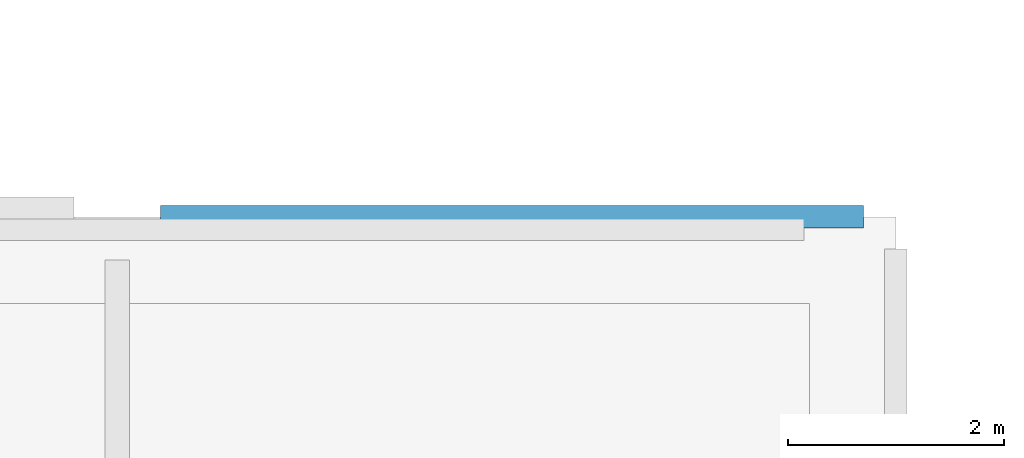
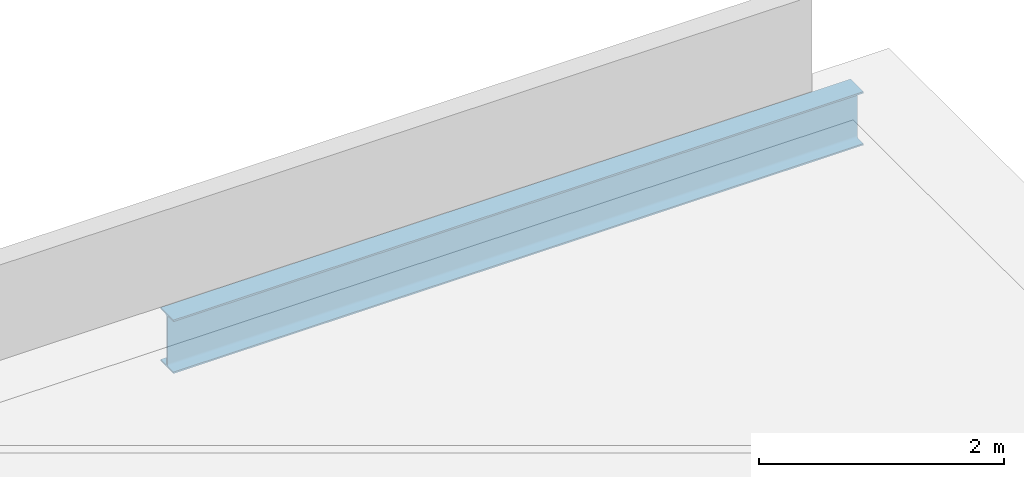
# One storey, part 95 of 153: 1 beam.
"""IFC4 building model written with IfcOpenShell, lengths in metres."""

import ifcopenshell
import ifcopenshell.guid

model = None  # the IFC model being written
_history = None  # IfcOwnerHistory: only IFC2X3 demands one
_inside = {}  # id of a spatial element -> (the spatial element, [elements in it])
_under = {}  # id of a project, library or spatial element -> (it, [spatial elements below it])
_declared = {}  # id of a project -> (the project, [libraries it declares])
_typed = {}  # id of a type object -> (the type object, [elements of that type])
_made_of = {}  # id of a material, layer set ... -> (it, [elements and type objects made of it])


def new_model(schema):
    """Start an empty IFC model of exactly this schema.

    Asked for "IFC4X3", IfcOpenShell would pick the latest addendum, in which some entities
    have other attributes; the version numbers below select the first issue.
    IFC2X3 requires an IfcOwnerHistory on every rooted entity: one is made here for all.
    """
    global model, _history
    if schema == "IFC4X3":
        model = ifcopenshell.file(schema_version=(4, 3, 0, 0))
    else:
        model = ifcopenshell.file(schema=schema)
    _inside.clear()
    _under.clear()
    _declared.clear()
    _typed.clear()
    _made_of.clear()
    _history = None
    if model.schema == "IFC2X3":
        org = make("IfcOrganization", Name="unknown")
        user = make(
            "IfcPersonAndOrganization",
            ThePerson=make("IfcPerson", FamilyName="unknown"),
            TheOrganization=org,
        )
        app = make(
            "IfcApplication",
            ApplicationDeveloper=org,
            Version="unknown",
            ApplicationFullName="unknown",
            ApplicationIdentifier="unknown",
        )
        _history = make(
            "IfcOwnerHistory",
            OwningUser=user,
            OwningApplication=app,
            ChangeAction="ADDED",
            CreationDate=0,
        )
    return model


def make(cls, **values):
    """One entity of the class cls with the attributes given. An attribute that is None is left unset."""
    return model.create_entity(
        cls, **{name: value for name, value in values.items() if value is not None}
    )


def rooted(cls, **values):
    """An entity with a GlobalId (a new one), such as an element, a storey or a relation."""
    return make(cls, GlobalId=ifcopenshell.guid.new(), OwnerHistory=_history, **values)


def si_unit(unit_type, name, prefix=None):
    """IfcSIUnit, for example si_unit("LENGTHUNIT", "METRE", prefix="MILLI")."""
    return make("IfcSIUnit", UnitType=unit_type, Prefix=prefix, Name=name)


def assignment(units):
    """IfcUnitAssignment: the units of a project."""
    return None if units is None else make("IfcUnitAssignment", Units=units)


def point(xyz):
    """IfcCartesianPoint."""
    return None if xyz is None else make("IfcCartesianPoint", Coordinates=xyz)


def direction(xyz):
    """IfcDirection."""
    return None if xyz is None else make("IfcDirection", DirectionRatios=xyz)


def frame(location, z_axis=None, x_axis=None):
    """IfcAxis2Placement3D, a coordinate frame: its origin and axes. An axis left out is left unset."""
    return make(
        "IfcAxis2Placement3D",
        Location=point(location),
        Axis=direction(z_axis),
        RefDirection=direction(x_axis),
    )


def frame_2d(location, x_axis=None):
    """IfcAxis2Placement2D, a coordinate frame in the plane: its origin and x axis."""
    return make(
        "IfcAxis2Placement2D", Location=point(location), RefDirection=direction(x_axis)
    )


def origin():
    """The frame at (0, 0, 0) with its axes left unset."""
    return frame((0.0, 0.0, 0.0))


def origin_2d():
    """The frame at (0, 0) in the plane with its x axis left unset."""
    return frame_2d((0.0, 0.0))


def place(relative_to, where):
    """IfcLocalPlacement: puts the frame where relative to a parent placement (None: the world)."""
    return make(
        "IfcLocalPlacement", PlacementRelTo=relative_to, RelativePlacement=where
    )


def context(
    kind, dimensions, precision=None, world=None, true_north=None, identifier=None
):
    """IfcGeometricRepresentationContext, for example the 3D "Model" context."""
    return make(
        "IfcGeometricRepresentationContext",
        ContextIdentifier=identifier,
        ContextType=kind,
        CoordinateSpaceDimension=dimensions,
        Precision=precision,
        WorldCoordinateSystem=world,
        TrueNorth=true_north,
    )


def subcontext(parent, identifier, kind, view, scale=None):
    """IfcGeometricRepresentationSubContext, for example "Body" below "Model"."""
    return make(
        "IfcGeometricRepresentationSubContext",
        ContextIdentifier=identifier,
        ContextType=kind,
        ParentContext=parent,
        TargetScale=scale,
        TargetView=view,
    )


def project(units=None, contexts=None):
    """IfcProject with its units and contexts."""
    return rooted(
        "IfcProject",
        Name="project",
        RepresentationContexts=contexts,
        UnitsInContext=assignment(units),
    )


def spatial(cls, under=None, at=None, **own):
    """A site, building, storey or space (cls), placed at a placement, below another one or the project."""
    s = rooted(cls, ObjectPlacement=at, **own)
    if under is not None:
        _under.setdefault(under.id(), (under, []))[1].append(s)
    return s


def profile(cls, at=None, kind="AREA", **sizes):
    """A parametric profile (cls). Its sizes go by their IFC names, for example OverallWidth=200.0."""
    return make(cls, ProfileType=kind, Position=at, **sizes)


def i_section(**sizes):
    """IfcIShapeProfileDef."""
    return profile("IfcIShapeProfileDef", **sizes)


def extrude(swept, where, along, depth):
    """IfcExtrudedAreaSolid: the profile swept, set in the frame where, extruded along a direction by depth."""
    return make(
        "IfcExtrudedAreaSolid",
        SweptArea=swept,
        Position=where,
        ExtrudedDirection=direction(along),
        Depth=depth,
    )


def shape(context_of_items, identifier, shape_type, items):
    """IfcShapeRepresentation: the items that make up one representation, for example the "Body"."""
    return make(
        "IfcShapeRepresentation",
        ContextOfItems=context_of_items,
        RepresentationIdentifier=identifier,
        RepresentationType=shape_type,
        Items=items,
    )


def material(Name=None, Category=None):
    """IfcMaterial."""
    return make("IfcMaterial", Name=Name, Category=Category)


def material_profile(
    of_material, cross_section, Name=None, Category=None, Priority=None
):
    """IfcMaterialProfile: a cross section and its material."""
    return make(
        "IfcMaterialProfile",
        Name=Name,
        Material=of_material,
        Profile=cross_section,
        Priority=Priority,
        Category=Category,
    )


def profile_set(profiles, Name=None, composite=None):
    """IfcMaterialProfileSet."""
    return make(
        "IfcMaterialProfileSet",
        Name=Name,
        MaterialProfiles=profiles,
        CompositeProfile=composite,
    )


def made_of(thing, what):
    """Note that an element or type object is made of a material, layer set ...; save() writes the relation."""
    if what is not None:
        _made_of.setdefault(what.id(), (what, []))[1].append(thing)
    return thing


def type_object(cls, material=None, **own):
    """A type object (cls), such as IfcWallType, which elements share."""
    return made_of(rooted(cls, **own), material)


def element(
    cls,
    number,
    at=None,
    inside=None,
    cuts=None,
    type_object=None,
    material=None,
    context=None,
    identifier="Body",
    shape_type=None,
    held_by="IfcProductDefinitionShape",
    body=None,
    shapes=None,
    **own,
):
    """One element of the class cls, such as IfcWall. Its Tag is "e" and its number.

    at: its placement. inside: the storey or other place that contains it. cuts: it is an
    opening in that element (IfcRelVoidsElement). A single representation is given by context,
    identifier, shape_type and body (its items); several are given by shapes. held_by: the class
    of the entity that holds the representations. save() writes the other relations.
    """
    e = rooted(cls, Tag="e%d" % number, ObjectPlacement=at, **own)
    if body is not None:
        shapes = [shape(context, identifier, shape_type, body)]
    if shapes is not None:
        e.Representation = make(held_by, Representations=shapes)
    if inside is not None:
        _inside.setdefault(inside.id(), (inside, []))[1].append(e)
    if cuts is not None:
        rooted(
            "IfcRelVoidsElement", RelatingBuildingElement=cuts, RelatedOpeningElement=e
        )
    if type_object is not None:
        _typed.setdefault(type_object.id(), (type_object, []))[1].append(e)
    return made_of(e, material)


def aggregate(whole, parts):
    """IfcRelAggregates: a whole, such as a stair, and the parts it consists of."""
    return rooted("IfcRelAggregates", RelatingObject=whole, RelatedObjects=parts)


def save(model, path):
    """Write the relations noted so far, then the file.

    IfcRelAggregates (storeys below a building ...), IfcRelContainedInSpatialStructure (elements
    in a storey), IfcRelDefinesByType, IfcRelAssociatesMaterial and IfcRelDeclares: one each for
    every whole, place, type object, material and project.
    """
    for whole, parts in _under.values():
        aggregate(whole, parts)
    for where, things in _inside.values():
        rooted(
            "IfcRelContainedInSpatialStructure",
            RelatedElements=things,
            RelatingStructure=where,
        )
    for kind, things in _typed.values():
        rooted("IfcRelDefinesByType", RelatedObjects=things, RelatingType=kind)
    for what, things in _made_of.values():
        rooted("IfcRelAssociatesMaterial", RelatedObjects=things, RelatingMaterial=what)
    for by, libraries in _declared.values():
        rooted("IfcRelDeclares", RelatingContext=by, RelatedDefinitions=libraries)
    model.write(path)


model = new_model("IFC4")

# Units and contexts
model_context = context("Model", 3, precision=1e-05, world=origin(), true_north=direction((0.0, 1.0)))
body_context = subcontext(model_context, "Body", "Model", "MODEL_VIEW")
ifc_project = project(units=[si_unit("LENGTHUNIT", "METRE"), si_unit("AREAUNIT", "SQUARE_METRE"), si_unit("VOLUMEUNIT", "CUBIC_METRE"), si_unit("PLANEANGLEUNIT", "RADIAN"), si_unit("MASSUNIT", "GRAM", prefix="KILO")], contexts=[model_context])

# Site, building, storey
site_placement = place(None, origin())
site = spatial("IfcSite", under=ifc_project, at=site_placement, CompositionType="ELEMENT")
building_placement = place(site_placement, origin())
building = spatial("IfcBuilding", under=site, at=building_placement, Name="Calvrana Isthmian Art Gallery", CompositionType="ELEMENT")
storey_placement = place(building_placement, frame((0.0, 0.0, 10.199951171875)))
storey = spatial("IfcBuildingStorey", under=building, at=storey_placement, Name="L02", CompositionType="ELEMENT", Elevation=10.199951171875)

# Beam
ifc_material = material(Name="Steel ASTM A992 Gr 50", Category="steel")
ifc_material_profile = material_profile(ifc_material, i_section(OverallWidth=0.208984375, OverallDepth=0.532958984375, WebThickness=0.01025390625, FlangeThickness=0.015625, FilletRadius=0.02099609375, at=origin_2d()), Name="W21X62")
ifc_profile_set = profile_set([ifc_material_profile], Name="Steel ASTM A992 Gr 50")
beam_type = type_object("IfcBeamType", Name="BM-G-W21X62", PredefinedType="BEAM", material=ifc_profile_set)
beam_placement = place(storey_placement, frame((142.0, 98.39990234375, -0.531494140625), z_axis=(1.0, 0.0, 0.0), x_axis=(0.0, 1.0, 0.0)))
element("IfcBeam", 1, at=beam_placement, inside=storey, type_object=beam_type, Name="Girder X L02 19-20/N", PredefinedType="BEAM", context=body_context, shape_type="SweptSolid", body=[
    extrude(i_section(OverallWidth=0.208984375, OverallDepth=0.532958984375, WebThickness=0.01025390625, FlangeThickness=0.015625, FilletRadius=0.02099609375, at=origin_2d()), origin(), (0.0, 0.0, 1.0), 6.5),
])

save(model, "model.ifc")
